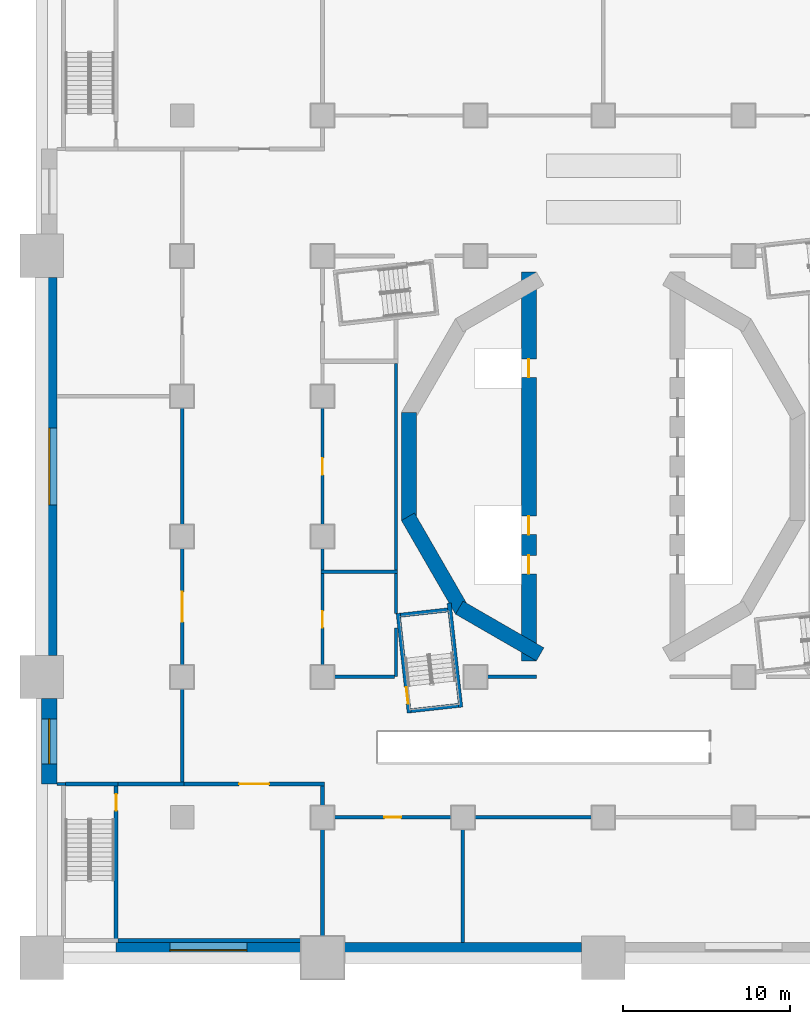
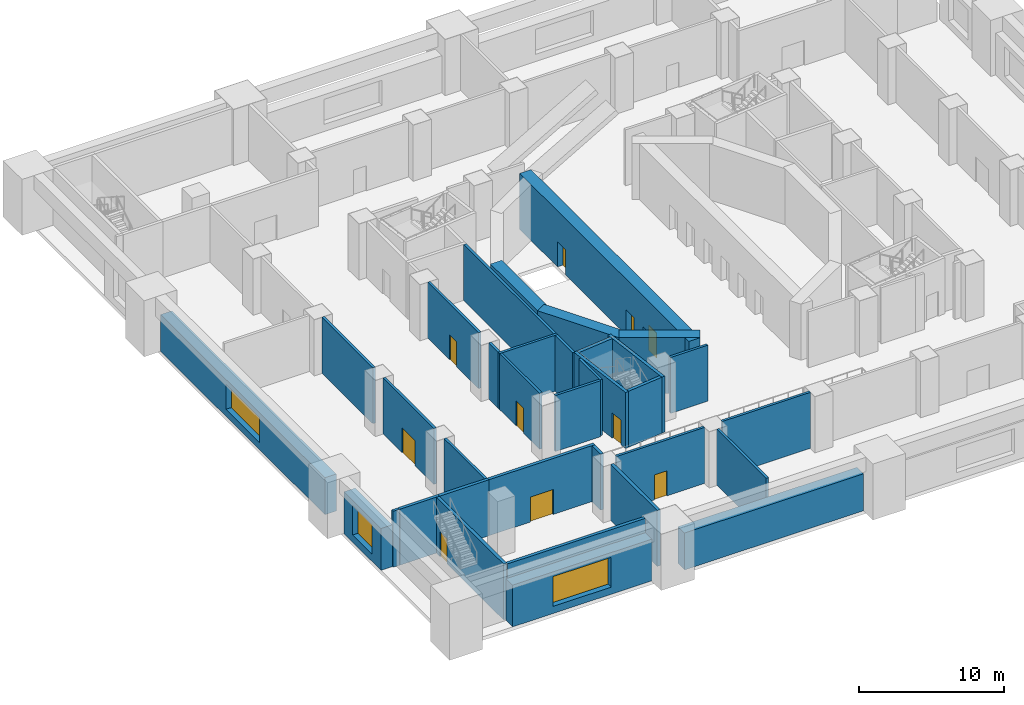
# One storey, part 2 of 19: 35 walls, 10 doors, 3 windows, 13 openings.
"""IFC4 building model written with IfcOpenShell, lengths in metres."""

from ifc_helpers import new_model, si_unit, direction, frame, frame_2d, origin, place, context, subcontext, project, spatial, rectangle, extrude, material, layer, layer_set, type_object, element, fill, save


model = new_model("IFC4")

# Units and contexts
model_context = context("Model", 3, precision=1e-05, world=origin(), true_north=direction((0.0, 1.0)))
body_context = subcontext(model_context, "Body", "Model", "MODEL_VIEW")
ifc_project = project(units=[si_unit("LENGTHUNIT", "METRE"), si_unit("AREAUNIT", "SQUARE_METRE"), si_unit("VOLUMEUNIT", "CUBIC_METRE"), si_unit("PLANEANGLEUNIT", "RADIAN"), si_unit("MASSUNIT", "GRAM", prefix="KILO")], contexts=[model_context])

# Site, building, storey
site_placement = place(None, origin())
site = spatial("IfcSite", under=ifc_project, at=site_placement, CompositionType="ELEMENT")
building_placement = place(site_placement, origin())
building = spatial("IfcBuilding", under=site, at=building_placement, Name="Cantera Rosa Tower", CompositionType="ELEMENT")
storey_placement = place(building_placement, frame((0.0, 0.0, 12.0)))
storey = spatial("IfcBuildingStorey", under=building, at=storey_placement, Name="L01", CompositionType="ELEMENT", Elevation=12.0)

# Walls
ifc_material_1 = material(Name="Masonry blockwork", Category="masonry")
ifc_layer_1 = layer(ifc_material_1, 0.199951171875)
ifc_layer_set_1 = layer_set([ifc_layer_1], Name="Blockwork partition 200")
wall_type_1 = type_object("IfcWallType", Name="Blockwork partition 200", PredefinedType="PARTITIONING", material=ifc_layer_set_1)
wall_1_placement = place(storey_placement, frame((-16.10009765625, -12.57666015625, 0.0), z_axis=(0.0, 0.0, 1.0), x_axis=(1.0, 0.0, 0.0)))
element("IfcWall", 1, at=wall_1_placement, inside=storey, type_object=wall_type_1, Name="Partition L01-1", PredefinedType="PARTITIONING", context=body_context, shape_type="SweptSolid", body=[
    extrude(rectangle(XDim=3.60009765625, YDim=0.199951171875, at=frame_2d((1.800048828125, 0.0))), origin(), (0.0, 0.0, 1.0), 4.699951171875),
])
wall_2_placement = place(storey_placement, frame((-6.949951171875, -12.57666015625, 0.0), z_axis=(0.0, 0.0, 1.0), x_axis=(1.0, 0.0, 0.0)))
element("IfcWall", 2, at=wall_2_placement, inside=storey, type_object=wall_type_1, Name="Partition L01-2", PredefinedType="PARTITIONING", context=body_context, shape_type="SweptSolid", body=[
    extrude(rectangle(XDim=2.949951171875, YDim=0.199951171875, at=frame_2d((1.47509765625, 0.0))), origin(), (0.0, 0.0, 1.0), 4.699951171875),
])
wall_3_placement = place(storey_placement, frame((-12.39990234375, -12.57666015625, 0.0), z_axis=(0.0, 0.0, 1.0), x_axis=(0.0, 1.0, 0.0)))
element("IfcWall", 3, at=wall_3_placement, inside=storey, type_object=wall_type_1, Name="Partition L01-7", PredefinedType="PARTITIONING", context=body_context, shape_type="SweptSolid", body=[
    extrude(rectangle(XDim=2.921142578125, YDim=0.199951171875, at=frame_2d((1.46044921875, 0.0))), origin(), (0.0, 0.0, 1.0), 4.699951171875),
])
wall_4_placement = place(storey_placement, frame((-12.39990234375, -8.802490234375, 0.0), z_axis=(0.0, 0.0, 1.0), x_axis=(0.0, 1.0, 0.0)))
element("IfcWall", 4, at=wall_4_placement, inside=storey, type_object=wall_type_1, Name="Partition L01-8", PredefinedType="PARTITIONING", context=body_context, shape_type="SweptSolid", body=[
    extrude(rectangle(XDim=2.402587890625, YDim=0.199951171875, at=frame_2d((1.201171875, 0.0))), origin(), (0.0, 0.0, 1.0), 4.699951171875),
])
wall_5_placement = place(storey_placement, frame((-12.39990234375, -6.199951171875, 0.0), z_axis=(0.0, 0.0, 1.0), x_axis=(0.0, 1.0, 0.0)))
element("IfcWall", 5, at=wall_5_placement, inside=storey, type_object=wall_type_1, Name="Partition L01-9", PredefinedType="PARTITIONING", context=body_context, shape_type="SweptSolid", body=[
    extrude(rectangle(XDim=12.375, YDim=0.199951171875, at=frame_2d((6.1875, 0.0))), origin(), (0.0, 0.0, 1.0), 4.699951171875),
])

# Wall, opening, door
wall_6_placement = place(storey_placement, frame((-16.800048828125, -11.89990234375, 0.0), z_axis=(0.0, 0.0, 1.0), x_axis=(0.0, 1.0, 0.0)))
wall_6 = element("IfcWall", 6, at=wall_6_placement, inside=storey, type_object=wall_type_1, Name="Partition L01-36", PredefinedType="PARTITIONING", context=body_context, shape_type="SweptSolid", body=[
    extrude(rectangle(XDim=5.5, YDim=0.199951171875, at=frame_2d((2.75, 0.0))), origin(), (0.0, 0.0, 1.0), 4.699951171875),
])
opening_1_placement = place(wall_6_placement, frame((2.25, 0.0, 0.0)))
opening_1 = element("IfcOpeningElement", 7, at=opening_1_placement, cuts=wall_6, Name="Opening L01-012", PredefinedType="OPENING", context=body_context, shape_type="SweptSolid", body=[
    extrude(rectangle(XDim=1.0, YDim=2.10009765625, at=frame_2d((0.5, 1.050048828125))), frame((0.0, 0.10986328125, 0.0), z_axis=(0.0, -1.0, 0.0), x_axis=(1.0, 0.0, 0.0)), (0.0, 0.0, 1.0), 0.219970703125),
])
ifc_material_2 = material(Name="Timber", Category="wood")
door_type_1 = type_object("IfcDoorType", Name="Door 1000x2100", OperationType="NOTDEFINED", PredefinedType="DOOR", material=ifc_material_2)
door_1_placement = place(opening_1_placement, origin())
door_1 = element("IfcDoor", 8, at=door_1_placement, inside=storey, type_object=door_type_1, Name="Door L01-012", OverallHeight=2.10009765625, OverallWidth=1.0, PredefinedType="DOOR", context=body_context, shape_type="SweptSolid", body=[
    extrude(rectangle(XDim=1.0, YDim=2.10009765625, at=frame_2d((0.5, 1.050048828125))), frame((0.0, 0.02490234375, 0.0), z_axis=(0.0, -1.0, 0.0), x_axis=(1.0, 0.0, 0.0)), (0.0, 0.0, 1.0), 0.050048828125),
])
fill(opening_1, door_1)

# Wall
wall_7_placement = place(storey_placement, frame((-16.800048828125, -6.199951171875, 0.0), z_axis=(0.0, 0.0, 1.0), x_axis=(0.0, 1.0, 0.0)))
element("IfcWall", 9, at=wall_7_placement, inside=storey, type_object=wall_type_1, Name="Partition L01-37", PredefinedType="PARTITIONING", context=body_context, shape_type="SweptSolid", body=[
    extrude(rectangle(XDim=1.300048828125, YDim=0.199951171875, at=frame_2d((0.64990234375, 0.0))), origin(), (0.0, 0.0, 1.0), 4.699951171875),
])

# Wall, opening, door
wall_8_placement = place(storey_placement, frame((-16.800048828125, -3.5, 0.0), z_axis=(0.0, 0.0, 1.0), x_axis=(0.0, 1.0, 0.0)))
wall_8 = element("IfcWall", 10, at=wall_8_placement, inside=storey, type_object=wall_type_1, Name="Partition L01-38", PredefinedType="PARTITIONING", context=body_context, shape_type="SweptSolid", body=[
    extrude(rectangle(XDim=7.0, YDim=0.199951171875, at=frame_2d((3.5, 0.0))), origin(), (0.0, 0.0, 1.0), 4.699951171875),
])
opening_2_placement = place(wall_8_placement, frame((3.0, 0.0, 0.0)))
opening_2 = element("IfcOpeningElement", 11, at=opening_2_placement, cuts=wall_8, Name="Opening L01-013", PredefinedType="OPENING", context=body_context, shape_type="SweptSolid", body=[
    extrude(rectangle(XDim=1.0, YDim=2.10009765625, at=frame_2d((0.5, 1.050048828125))), frame((0.0, 0.10986328125, 0.0), z_axis=(0.0, -1.0, 0.0), x_axis=(1.0, 0.0, 0.0)), (0.0, 0.0, 1.0), 0.219970703125),
])
door_2_placement = place(opening_2_placement, origin())
door_2 = element("IfcDoor", 12, at=door_2_placement, inside=storey, type_object=door_type_1, Name="Door L01-013", OverallHeight=2.10009765625, OverallWidth=1.0, PredefinedType="DOOR", context=body_context, shape_type="SweptSolid", body=[
    extrude(rectangle(XDim=1.0, YDim=2.10009765625, at=frame_2d((0.5, 1.050048828125))), frame((0.0, 0.02490234375, 0.0), z_axis=(0.0, -1.0, 0.0), x_axis=(1.0, 0.0, 0.0)), (0.0, 0.0, 1.0), 0.050048828125),
])
fill(opening_2, door_2)

# Walls
wall_9_placement = place(storey_placement, frame((-16.89990234375, -6.300048828125, 0.0), z_axis=(0.0, 0.0, 1.0), x_axis=(1.0, 0.0, 0.0)))
element("IfcWall", 13, at=wall_9_placement, inside=storey, type_object=wall_type_1, Name="Partition L01-43", PredefinedType="PARTITIONING", context=body_context, shape_type="SweptSolid", body=[
    extrude(rectangle(XDim=4.599853515625, YDim=0.199951171875, at=frame_2d((2.2998046875, 0.0))), origin(), (0.0, 0.0, 1.0), 4.699951171875),
])
wall_10_placement = place(storey_placement, frame((-32.699951171875, -19.0, 0.0), z_axis=(0.0, 0.0, 1.0), x_axis=(1.0, 0.0, 0.0)))
element("IfcWall", 14, at=wall_10_placement, inside=storey, type_object=wall_type_1, Name="Partition L01-64", PredefinedType="PARTITIONING", context=body_context, shape_type="SweptSolid", body=[
    extrude(rectangle(XDim=0.52490234375, YDim=0.199951171875, at=frame_2d((0.262451171875, 0.0))), origin(), (0.0, 0.0, 1.0), 4.699951171875),
])
wall_11_placement = place(storey_placement, frame((-8.39990234375, -28.5, 0.0), z_axis=(0.0, 0.0, 1.0), x_axis=(0.0, 1.0, 0.0)))
element("IfcWall", 15, at=wall_11_placement, inside=storey, type_object=wall_type_1, Name="Partition L01-80", PredefinedType="PARTITIONING", context=body_context, shape_type="SweptSolid", body=[
    extrude(rectangle(XDim=6.800048828125, YDim=0.199951171875, at=frame_2d((3.39990234375, 0.0))), origin(), (0.0, 0.0, 1.0), 4.699951171875),
])

# Wall, opening, door
wall_12_placement = place(storey_placement, frame((-16.10009765625, -21.0, 0.0), z_axis=(0.0, 0.0, 1.0), x_axis=(1.0, 0.0, 0.0)))
wall_12 = element("IfcWall", 16, at=wall_12_placement, inside=storey, type_object=wall_type_1, Name="Partition L01-81", PredefinedType="PARTITIONING", context=body_context, shape_type="SweptSolid", body=[
    extrude(rectangle(XDim=7.0, YDim=0.199951171875, at=frame_2d((3.5, 0.0))), origin(), (0.0, 0.0, 1.0), 4.699951171875),
])
opening_3_placement = place(wall_12_placement, frame((3.0, 0.0, 0.0)))
opening_3 = element("IfcOpeningElement", 17, at=opening_3_placement, cuts=wall_12, Name="Opening L01-003", PredefinedType="OPENING", context=body_context, shape_type="SweptSolid", body=[
    extrude(rectangle(XDim=1.0, YDim=2.10009765625, at=frame_2d((0.5, 1.050048828125))), frame((0.0, 0.10986328125, 0.0), z_axis=(0.0, -1.0, 0.0), x_axis=(1.0, 0.0, 0.0)), (0.0, 0.0, 1.0), 0.219970703125),
])
door_3_placement = place(opening_3_placement, origin())
door_3 = element("IfcDoor", 18, at=door_3_placement, inside=storey, type_object=door_type_1, Name="Door L01-003", OverallHeight=2.10009765625, OverallWidth=1.0, PredefinedType="DOOR", context=body_context, shape_type="SweptSolid", body=[
    extrude(rectangle(XDim=1.0, YDim=2.10009765625, at=frame_2d((0.5, 1.050048828125))), frame((0.0, 0.02490234375, 0.0), z_axis=(0.0, -1.0, 0.0), x_axis=(1.0, 0.0, 0.0)), (0.0, 0.0, 1.0), 0.050048828125),
])
fill(opening_3, door_3)

# Walls
wall_13_placement = place(storey_placement, frame((-7.699951171875, -21.0, 0.0), z_axis=(0.0, 0.0, 1.0), x_axis=(1.0, 0.0, 0.0)))
element("IfcWall", 19, at=wall_13_placement, inside=storey, type_object=wall_type_1, Name="Partition L01-82", PredefinedType="PARTITIONING", context=body_context, shape_type="SweptSolid", body=[
    extrude(rectangle(XDim=7.0, YDim=0.199951171875, at=frame_2d((3.5, 0.0))), origin(), (0.0, 0.0, 1.0), 4.699951171875),
])
wall_14_placement = place(storey_placement, frame((-25.199951171875, -18.875, 0.0), z_axis=(0.0, 0.0, 1.0), x_axis=(0.0, 1.0, 0.0)))
element("IfcWall", 20, at=wall_14_placement, inside=storey, type_object=wall_type_1, Name="Partition L01-91", PredefinedType="PARTITIONING", context=body_context, shape_type="SweptSolid", body=[
    extrude(rectangle(XDim=5.574951171875, YDim=0.199951171875, at=frame_2d((2.78759765625, 0.0))), origin(), (0.0, 0.0, 1.0), 4.699951171875),
])

# Wall, opening, door
wall_15_placement = place(storey_placement, frame((-25.199951171875, -11.89990234375, 0.0), z_axis=(0.0, 0.0, 1.0), x_axis=(0.0, 1.0, 0.0)))
wall_15 = element("IfcWall", 21, at=wall_15_placement, inside=storey, type_object=wall_type_1, Name="Partition L01-92", PredefinedType="PARTITIONING", context=body_context, shape_type="SweptSolid", body=[
    extrude(rectangle(XDim=7.0, YDim=0.199951171875, at=frame_2d((3.5, 0.0))), origin(), (0.0, 0.0, 1.0), 4.699951171875),
])
opening_4_placement = place(wall_15_placement, frame((2.60009765625, 0.0, 0.0)))
opening_4 = element("IfcOpeningElement", 22, at=opening_4_placement, cuts=wall_15, Name="Opening L01-007", PredefinedType="OPENING", context=body_context, shape_type="SweptSolid", body=[
    extrude(rectangle(XDim=1.800048828125, YDim=2.10009765625, at=frame_2d((0.89990234375, 1.050048828125))), frame((0.0, 0.10986328125, 0.0), z_axis=(0.0, -1.0, 0.0), x_axis=(1.0, 0.0, 0.0)), (0.0, 0.0, 1.0), 0.219970703125),
])
ifc_material_3 = material(Name="Timber", Category="wood")
door_type_2 = type_object("IfcDoorType", Name="Double door 1800x2100", OperationType="NOTDEFINED", PredefinedType="DOOR", material=ifc_material_3)
door_4_placement = place(opening_4_placement, origin())
door_4 = element("IfcDoor", 23, at=door_4_placement, inside=storey, type_object=door_type_2, Name="Door L01-007", OperationType="DOUBLE_DOOR_SINGLE_SWING", OverallHeight=2.10009765625, OverallWidth=1.800048828125, PredefinedType="DOOR", context=body_context, shape_type="SweptSolid", body=[
    extrude(rectangle(XDim=1.800048828125, YDim=2.10009765625, at=frame_2d((0.89990234375, 1.050048828125))), frame((0.0, 0.02490234375, 0.0), z_axis=(0.0, -1.0, 0.0), x_axis=(1.0, 0.0, 0.0)), (0.0, 0.0, 1.0), 0.050048828125),
])
fill(opening_4, door_4)

# Walls
wall_16_placement = place(storey_placement, frame((-25.199951171875, -3.5, 0.0), z_axis=(0.0, 0.0, 1.0), x_axis=(0.0, 1.0, 0.0)))
element("IfcWall", 24, at=wall_16_placement, inside=storey, type_object=wall_type_1, Name="Partition L01-93", PredefinedType="PARTITIONING", context=body_context, shape_type="SweptSolid", body=[
    extrude(rectangle(XDim=7.0, YDim=0.199951171875, at=frame_2d((3.5, 0.0))), origin(), (0.0, 0.0, 1.0), 4.699951171875),
])
ifc_material_4 = material(Name="Concrete C70/85", Category="concrete")
ifc_layer_2 = layer(ifc_material_4, 0.89990234375)
ifc_layer_set_2 = layer_set([ifc_layer_2], Name="Drum wall 900")
wall_type_2 = type_object("IfcWallType", Name="Drum wall 900", PredefinedType="SHEAR", material=ifc_layer_set_2)
wall_17_placement = place(storey_placement, frame((-3.77490234375, -11.242919921875, 0.0), z_axis=(0.0, 0.0, 1.0), x_axis=(-0.866026961591, 0.49999730179, 0.0)))
element("IfcWall", 25, at=wall_17_placement, inside=storey, type_object=wall_type_2, Name="Drum wall west 1 L01", PredefinedType="SHEAR", context=body_context, shape_type="SweptSolid", body=[
    extrude(rectangle(XDim=5.58740234375, YDim=0.89990234375, at=frame_2d((2.793701171875, 0.0))), origin(), (0.0, 0.0, 1.0), 4.699951171875),
])
wall_18_placement = place(storey_placement, frame((-8.44921875, -8.61376953125, 0.0), z_axis=(0.0, 0.0, 1.0), x_axis=(-0.499990282633, 0.866031014036, 0.0)))
element("IfcWall", 26, at=wall_18_placement, inside=storey, type_object=wall_type_2, Name="Drum wall west 2 L01", PredefinedType="SHEAR", context=body_context, shape_type="SweptSolid", body=[
    extrude(rectangle(XDim=6.470458984375, YDim=0.89990234375, at=frame_2d((3.2353515625, 0.0))), origin(), (0.0, 0.0, 1.0), 4.699951171875),
])
wall_19_placement = place(storey_placement, frame((-11.6240234375, -3.2353515625, 0.0), z_axis=(0.0, 0.0, 1.0), x_axis=(0.0, 1.0, 0.0)))
element("IfcWall", 27, at=wall_19_placement, inside=storey, type_object=wall_type_2, Name="Drum wall west 3 L01", PredefinedType="SHEAR", context=body_context, shape_type="SweptSolid", body=[
    extrude(rectangle(XDim=6.470703125, YDim=0.89990234375, at=frame_2d((3.2353515625, 0.0))), origin(), (0.0, 0.0, 1.0), 4.699951171875),
])

# Wall, openings, doors
wall_20_placement = place(storey_placement, frame((-4.449951171875, 11.632568359375, 0.0), z_axis=(0.0, 0.0, 1.0), x_axis=(0.0, -1.0, 0.0)))
wall_20 = element("IfcWall", 28, at=wall_20_placement, inside=storey, type_object=wall_type_2, Name="Drum wall west 6 L01", PredefinedType="SHEAR", context=body_context, shape_type="SweptSolid", body=[
    extrude(rectangle(XDim=23.26513671875, YDim=0.89990234375, at=frame_2d((11.632568359375, 0.0))), origin(), (0.0, 0.0, 1.0), 4.699951171875),
])
opening_5_placement = place(wall_20_placement, frame((14.607421875, 0.0, 0.0)))
opening_5 = element("IfcOpeningElement", 29, at=opening_5_placement, cuts=wall_20, Name="Opening LD-P3-L01", PredefinedType="OPENING", context=body_context, shape_type="SweptSolid", body=[
    extrude(rectangle(XDim=1.10009765625, YDim=2.10009765625, at=frame_2d((0.550048828125, 1.050048828125))), frame((0.0, 0.4599609375, 0.0), z_axis=(0.0, -1.0, 0.0), x_axis=(1.0, 0.0, 0.0)), (0.0, 0.0, 1.0), 0.919921875),
])
opening_6_placement = place(wall_20_placement, frame((16.95751953125, 0.0, 0.0)))
opening_6 = element("IfcOpeningElement", 30, at=opening_6_placement, cuts=wall_20, Name="Opening LD-P4-L01", PredefinedType="OPENING", context=body_context, shape_type="SweptSolid", body=[
    extrude(rectangle(XDim=1.10009765625, YDim=2.10009765625, at=frame_2d((0.550048828125, 1.050048828125))), frame((0.0, 0.4599609375, 0.0), z_axis=(0.0, -1.0, 0.0), x_axis=(1.0, 0.0, 0.0)), (0.0, 0.0, 1.0), 0.919921875),
])
opening_7_placement = place(wall_20_placement, frame((5.20751953125, 0.0, 0.0)))
opening_7 = element("IfcOpeningElement", 31, at=opening_7_placement, cuts=wall_20, Name="Opening LD-P5-L01", PredefinedType="OPENING", context=body_context, shape_type="SweptSolid", body=[
    extrude(rectangle(XDim=1.10009765625, YDim=2.10009765625, at=frame_2d((0.550048828125, 1.050048828125))), frame((0.0, 0.4599609375, 0.0), z_axis=(0.0, -1.0, 0.0), x_axis=(1.0, 0.0, 0.0)), (0.0, 0.0, 1.0), 0.919921875),
])
ifc_material_5 = material(Name="Steel S355J2 (EN 10025-2)", Category="steel")
door_type_3 = type_object("IfcDoorType", Name="LANDING DOOR 1100x2100", OperationType="NOTDEFINED", PredefinedType="DOOR", material=ifc_material_5)
door_5_placement = place(opening_5_placement, origin())
door_5 = element("IfcDoor", 32, at=door_5_placement, inside=storey, type_object=door_type_3, Name="LANDING DOOR P3 L01", OperationType="SLIDING_TO_LEFT", OverallHeight=2.10009765625, OverallWidth=1.10009765625, PredefinedType="DOOR", context=body_context, shape_type="SweptSolid", body=[
    extrude(rectangle(XDim=1.10009765625, YDim=2.10009765625, at=frame_2d((0.550048828125, 1.050048828125))), frame((0.0, 0.02490234375, 0.0), z_axis=(0.0, -1.0, 0.0), x_axis=(1.0, 0.0, 0.0)), (0.0, 0.0, 1.0), 0.050048828125),
])
fill(opening_5, door_5)
door_6_placement = place(opening_6_placement, origin())
door_6 = element("IfcDoor", 33, at=door_6_placement, inside=storey, type_object=door_type_3, Name="LANDING DOOR P4 L01", OperationType="SLIDING_TO_LEFT", OverallHeight=2.10009765625, OverallWidth=1.10009765625, PredefinedType="DOOR", context=body_context, shape_type="SweptSolid", body=[
    extrude(rectangle(XDim=1.10009765625, YDim=2.10009765625, at=frame_2d((0.550048828125, 1.050048828125))), frame((0.0, 0.02490234375, 0.0), z_axis=(0.0, -1.0, 0.0), x_axis=(1.0, 0.0, 0.0)), (0.0, 0.0, 1.0), 0.050048828125),
])
fill(opening_6, door_6)
door_7_placement = place(opening_7_placement, origin())
door_7 = element("IfcDoor", 34, at=door_7_placement, inside=storey, type_object=door_type_3, Name="LANDING DOOR P5 L01", OperationType="SLIDING_TO_LEFT", OverallHeight=2.10009765625, OverallWidth=1.10009765625, PredefinedType="DOOR", context=body_context, shape_type="SweptSolid", body=[
    extrude(rectangle(XDim=1.10009765625, YDim=2.10009765625, at=frame_2d((0.550048828125, 1.050048828125))), frame((0.0, 0.02490234375, 0.0), z_axis=(0.0, -1.0, 0.0), x_axis=(1.0, 0.0, 0.0)), (0.0, 0.0, 1.0), 0.050048828125),
])
fill(opening_7, door_7)

# Walls
ifc_material_6 = material(Name="Masonry blockwork", Category="masonry")
ifc_layer_3 = layer(ifc_material_6, 0.25)
ifc_layer_set_3 = layer_set([ifc_layer_3], Name="Fire-rated external wall 250")
wall_type_3 = type_object("IfcWallType", Name="Fire-rated external wall 250", PredefinedType="PARTITIONING", material=ifc_layer_set_3)
wall_21_placement = place(storey_placement, frame((-29.02490234375, -28.375, 0.0), z_axis=(0.0, 0.0, 1.0), x_axis=(1.0, 0.0, 0.0)))
element("IfcWall", 35, at=wall_21_placement, inside=storey, type_object=wall_type_3, Name="Fire wall L01-72", PredefinedType="PARTITIONING", context=body_context, shape_type="SweptSolid", body=[
    extrude(rectangle(XDim=10.9248046875, YDim=0.25, at=frame_2d((5.46240234375, 0.0))), origin(), (0.0, 0.0, 1.0), 4.699951171875),
])
ifc_material_7 = material(Name="Masonry blockwork", Category="masonry")
ifc_layer_4 = layer(ifc_material_7, 0.25)
ifc_layer_set_4 = layer_set([ifc_layer_4], Name="Fire-rated wall 250")
wall_type_4 = type_object("IfcWallType", Name="Fire-rated wall 250", PredefinedType="PARTITIONING", material=ifc_layer_set_4)
wall_22_placement = place(storey_placement, frame((-16.800048828125, -28.10009765625, 0.0), z_axis=(0.0, 0.0, 1.0), x_axis=(0.0, 1.0, 0.0)))
element("IfcWall", 36, at=wall_22_placement, inside=storey, type_object=wall_type_4, Name="Fire wall L01-34", PredefinedType="PARTITIONING", context=body_context, shape_type="SweptSolid", body=[
    extrude(rectangle(XDim=6.400146484375, YDim=0.25, at=frame_2d((3.2001953125, 0.0))), origin(), (0.0, 0.0, 1.0), 4.699951171875),
])
wall_23_placement = place(storey_placement, frame((-16.800048828125, -20.300048828125, 0.0), z_axis=(0.0, 0.0, 1.0), x_axis=(0.0, 1.0, 0.0)))
element("IfcWall", 37, at=wall_23_placement, inside=storey, type_object=wall_type_4, Name="Fire wall L01-35", PredefinedType="PARTITIONING", context=body_context, shape_type="SweptSolid", body=[
    extrude(rectangle(XDim=1.175048828125, YDim=0.25, at=frame_2d((0.58740234375, 0.0))), origin(), (0.0, 0.0, 1.0), 4.699951171875),
])
wall_24_placement = place(storey_placement, frame((-29.02490234375, -19.0, 0.0), z_axis=(0.0, 0.0, 1.0), x_axis=(1.0, 0.0, 0.0)))
element("IfcWall", 38, at=wall_24_placement, inside=storey, type_object=wall_type_4, Name="Fire wall L01-66", PredefinedType="PARTITIONING", context=body_context, shape_type="SweptSolid", body=[
    extrude(rectangle(XDim=3.9248046875, YDim=0.25, at=frame_2d((1.96240234375, 0.0))), origin(), (0.0, 0.0, 1.0), 4.699951171875),
])

# Wall, opening, door
wall_25_placement = place(storey_placement, frame((-25.10009765625, -19.0, 0.0), z_axis=(0.0, 0.0, 1.0), x_axis=(1.0, 0.0, 0.0)))
wall_25 = element("IfcWall", 39, at=wall_25_placement, inside=storey, type_object=wall_type_4, Name="Fire wall L01-67", PredefinedType="PARTITIONING", context=body_context, shape_type="SweptSolid", body=[
    extrude(rectangle(XDim=8.425048828125, YDim=0.25, at=frame_2d((4.21240234375, 0.0))), origin(), (0.0, 0.0, 1.0), 4.699951171875),
])
opening_8_placement = place(wall_25_placement, frame((3.3125, 0.0, 0.0)))
opening_8 = element("IfcOpeningElement", 40, at=opening_8_placement, cuts=wall_25, Name="Opening L01-021", PredefinedType="OPENING", context=body_context, shape_type="SweptSolid", body=[
    extrude(rectangle(XDim=1.800048828125, YDim=2.10009765625, at=frame_2d((0.89990234375, 1.050048828125))), frame((0.0, 0.135009765625, 0.0), z_axis=(0.0, -1.0, 0.0), x_axis=(1.0, 0.0, 0.0)), (0.0, 0.0, 1.0), 0.27001953125),
])
ifc_material_8 = material(Name="Steel S355J2 (EN 10025-2)", Category="steel")
door_type_4 = type_object("IfcDoorType", Name="Fire double door 1800x2100", OperationType="NOTDEFINED", PredefinedType="DOOR", material=ifc_material_8)
door_8_placement = place(opening_8_placement, origin())
door_8 = element("IfcDoor", 41, at=door_8_placement, inside=storey, type_object=door_type_4, Name="Door L01-021", OperationType="DOUBLE_DOOR_SINGLE_SWING", OverallHeight=2.10009765625, OverallWidth=1.800048828125, PredefinedType="DOOR", context=body_context, shape_type="SweptSolid", body=[
    extrude(rectangle(XDim=1.800048828125, YDim=2.10009765625, at=frame_2d((0.89990234375, 1.050048828125))), frame((0.0, 0.02490234375, 0.0), z_axis=(0.0, -1.0, 0.0), x_axis=(1.0, 0.0, 0.0)), (0.0, 0.0, 1.0), 0.050048828125),
])
fill(opening_8, door_8)

ifc_material_9 = material(Name="Concrete C50/60", Category="concrete")
ifc_layer_5 = layer(ifc_material_9, 0.25)
ifc_layer_set_5 = layer_set([ifc_layer_5], Name="RC stair wall 250 C50/60")
wall_type_5 = type_object("IfcWallType", Name="RC stair wall 250", PredefinedType="SOLIDWALL", material=ifc_layer_set_5)
wall_26_placement = place(storey_placement, frame((-29.14990234375, -28.375, 0.0), z_axis=(0.0, 0.0, 1.0), x_axis=(0.0, 1.0, 0.0)))
wall_26 = element("IfcWall", 42, at=wall_26_placement, inside=storey, type_object=wall_type_5, Name="Stair wall L01-60", PredefinedType="SOLIDWALL", context=body_context, shape_type="SweptSolid", body=[
    extrude(rectangle(XDim=9.25, YDim=0.25, at=frame_2d((4.625, 0.0))), origin(), (0.0, 0.0, 1.0), 4.699951171875),
])
opening_9_placement = place(wall_26_placement, frame((7.77490234375, 0.0, 0.0)))
opening_9 = element("IfcOpeningElement", 43, at=opening_9_placement, cuts=wall_26, Name="Opening L01-022", PredefinedType="OPENING", context=body_context, shape_type="SweptSolid", body=[
    extrude(rectangle(XDim=1.0, YDim=2.10009765625, at=frame_2d((0.5, 1.050048828125))), frame((0.0, 0.135009765625, 0.0), z_axis=(0.0, -1.0, 0.0), x_axis=(1.0, 0.0, 0.0)), (0.0, 0.0, 1.0), 0.27001953125),
])
ifc_material_10 = material(Name="Steel S355J2 (EN 10025-2)", Category="steel")
door_type_5 = type_object("IfcDoorType", Name="Fire door 1000x2100 EI 120", OperationType="NOTDEFINED", PredefinedType="DOOR", material=ifc_material_10)
door_9_placement = place(opening_9_placement, origin())
door_9 = element("IfcDoor", 44, at=door_9_placement, inside=storey, type_object=door_type_5, Name="Door L01-022", OverallHeight=2.10009765625, OverallWidth=1.0, PredefinedType="DOOR", context=body_context, shape_type="SweptSolid", body=[
    extrude(rectangle(XDim=1.0, YDim=2.10009765625, at=frame_2d((0.5, 1.050048828125))), frame((0.0, 0.02490234375, 0.0), z_axis=(0.0, -1.0, 0.0), x_axis=(1.0, 0.0, 0.0)), (0.0, 0.0, 1.0), 0.050048828125),
])
fill(opening_9, door_9)

# Walls
wall_27_placement = place(storey_placement, frame((-32.175048828125, -19.0, 0.0), z_axis=(0.0, 0.0, 1.0), x_axis=(1.0, 0.0, 0.0)))
element("IfcWall", 45, at=wall_27_placement, inside=storey, type_object=wall_type_5, Name="Stair wall L01-65", PredefinedType="SOLIDWALL", context=body_context, shape_type="SweptSolid", body=[
    extrude(rectangle(XDim=3.150146484375, YDim=0.25, at=frame_2d((1.5751953125, 0.0))), origin(), (0.0, 0.0, 1.0), 4.699951171875),
])
wall_28_placement = place(storey_placement, frame((-8.66650390625, -14.30029296875, 0.0), z_axis=(0.0, 0.0, 1.0), x_axis=(-0.993904609394, -0.110243491536, 0.0)))
element("IfcWall", 46, at=wall_28_placement, inside=storey, type_object=wall_type_5, Name="Stair wall ST-13 L01-1", PredefinedType="SOLIDWALL", context=body_context, shape_type="SweptSolid", body=[
    extrude(rectangle(XDim=2.85009765625, YDim=0.25, at=frame_2d((1.425048828125, 0.0))), origin(), (0.0, 0.0, 1.0), 4.699951171875),
])

# Wall, opening, door
wall_29_placement = place(storey_placement, frame((-11.609619140625, -14.752685546875, 0.0), z_axis=(0.0, 0.0, 1.0), x_axis=(-0.110310943534, 0.993897125329, 0.0)))
wall_29 = element("IfcWall", 47, at=wall_29_placement, inside=storey, type_object=wall_type_5, Name="Stair wall ST-13 L01-2", PredefinedType="SOLIDWALL", context=body_context, shape_type="SweptSolid", body=[
    extrude(rectangle(XDim=6.0, YDim=0.25, at=frame_2d((3.0, 0.0))), origin(), (0.0, 0.0, 1.0), 4.699951171875),
])
opening_10_placement = place(wall_29_placement, frame((0.550048828125, 0.0, 0.0)))
opening_10 = element("IfcOpeningElement", 48, at=opening_10_placement, cuts=wall_29, Name="Opening L01-ST-13", PredefinedType="OPENING", context=body_context, shape_type="SweptSolid", body=[
    extrude(rectangle(XDim=1.0, YDim=2.10009765625, at=frame_2d((0.5, 1.050048828125))), frame((0.0, 0.135009765625, 0.0), z_axis=(0.0, -1.0, 0.0), x_axis=(1.0, 0.0, 0.0)), (0.0, 0.0, 1.0), 0.27001953125),
])
door_10_placement = place(opening_10_placement, origin())
door_10 = element("IfcDoor", 49, at=door_10_placement, inside=storey, type_object=door_type_5, Name="Door L01-ST-13", OverallHeight=2.10009765625, OverallWidth=1.0, PredefinedType="DOOR", context=body_context, shape_type="SweptSolid", body=[
    extrude(rectangle(XDim=1.0, YDim=2.10009765625, at=frame_2d((0.5, 1.050048828125))), frame((0.0, 0.02490234375, 0.0), z_axis=(0.0, -1.0, 0.0), x_axis=(1.0, 0.0, 0.0)), (0.0, 0.0, 1.0), 0.050048828125),
])
fill(opening_10, door_10)

# Walls
wall_30_placement = place(storey_placement, frame((-12.133544921875, -8.899658203125, 0.0), z_axis=(0.0, 0.0, 1.0), x_axis=(0.993904609394, 0.110243491536, 0.0)))
element("IfcWall", 50, at=wall_30_placement, inside=storey, type_object=wall_type_5, Name="Stair wall ST-13 L01-3", PredefinedType="SOLIDWALL", context=body_context, shape_type="SweptSolid", body=[
    extrude(rectangle(XDim=2.85009765625, YDim=0.25, at=frame_2d((1.425048828125, 0.0))), origin(), (0.0, 0.0, 1.0), 4.699951171875),
])
wall_31_placement = place(storey_placement, frame((-9.22021484375, -8.17822265625, 0.0), z_axis=(0.0, 0.0, 1.0), x_axis=(0.110299055694, -0.993898444668, 0.0)))
element("IfcWall", 51, at=wall_31_placement, inside=storey, type_object=wall_type_5, Name="Stair wall ST-13 L01-4", PredefinedType="SOLIDWALL", context=body_context, shape_type="SweptSolid", body=[
    extrude(rectangle(XDim=6.270751953125, YDim=0.25, at=frame_2d((3.13525390625, 0.0))), origin(), (0.0, 0.0, 1.0), 4.699951171875),
])

# Wall, opening, window
ifc_material_11 = material(Name="Concrete C40/50 with limestone facing", Category="masonry")
ifc_layer_6 = layer(ifc_material_11, 0.89990234375)
ifc_layer_set_6 = layer_set([ifc_layer_6], Name="Stone podium wall 900")
wall_type_6 = type_object("IfcWallType", Name="Stone podium wall 900", PredefinedType="SOLIDWALL", material=ifc_layer_set_6)
wall_32_placement = place(storey_placement, frame((-18.10009765625, -28.949951171875, 0.0), z_axis=(0.0, 0.0, 1.0), x_axis=(-1.0, 0.0, 0.0)))
wall_32 = element("IfcWall", 52, at=wall_32_placement, inside=storey, type_object=wall_type_6, Name="Stone wall S L01-1", PredefinedType="SOLIDWALL", context=body_context, shape_type="SweptSolid", body=[
    extrude(rectangle(XDim=11.0498046875, YDim=0.89990234375, at=frame_2d((5.52490234375, 0.0))), origin(), (0.0, 0.0, 1.0), 3.5),
])
opening_11_placement = place(wall_32_placement, frame((3.22509765625, 0.0, 0.60009765625)))
opening_11 = element("IfcOpeningElement", 53, at=opening_11_placement, cuts=wall_32, Name="Opening L01-PWS1", PredefinedType="OPENING", context=body_context, shape_type="SweptSolid", body=[
    extrude(rectangle(XDim=4.60009765625, YDim=2.5, at=frame_2d((2.300048828125, 1.25))), frame((0.0, 0.4599609375, 0.0), z_axis=(0.0, -1.0, 0.0), x_axis=(1.0, 0.0, 0.0)), (0.0, 0.0, 1.0), 0.919921875),
])
ifc_material_12 = material(Name="Glass", Category="glass")
window_type_1 = type_object("IfcWindowType", Name="Podium window 4600x2500", PartitioningType="SINGLE_PANEL", PredefinedType="WINDOW", material=ifc_material_12)
window_1_placement = place(opening_11_placement, origin())
window_1 = element("IfcWindow", 54, at=window_1_placement, inside=storey, type_object=window_type_1, Name="Podium window L01-S1", OverallHeight=2.5, OverallWidth=4.60009765625, PartitioningType="SINGLE_PANEL", PredefinedType="WINDOW", context=body_context, shape_type="SweptSolid", body=[
    extrude(rectangle(XDim=4.60009765625, YDim=2.5, at=frame_2d((2.300048828125, 1.25))), frame((0.0, 0.030029296875, 0.0), z_axis=(0.0, -1.0, 0.0), x_axis=(1.0, 0.0, 0.0)), (0.0, 0.0, 1.0), 0.06005859375),
])
fill(opening_11, window_1)

wall_33_placement = place(storey_placement, frame((-33.14990234375, -13.89990234375, 0.0), z_axis=(0.0, 0.0, 1.0), x_axis=(0.0, -1.0, 0.0)))
wall_33 = element("IfcWall", 55, at=wall_33_placement, inside=storey, type_object=wall_type_6, Name="Stone wall W L01-1", PredefinedType="SOLIDWALL", context=body_context, shape_type="SweptSolid", body=[
    extrude(rectangle(XDim=5.10009765625, YDim=0.89990234375, at=frame_2d((2.550048828125, 0.0))), origin(), (0.0, 0.0, 1.0), 3.5),
])
opening_12_placement = place(wall_33_placement, frame((1.199951171875, 0.0, 0.60009765625)))
opening_12 = element("IfcOpeningElement", 56, at=opening_12_placement, cuts=wall_33, Name="Opening L01-PWW1", PredefinedType="OPENING", context=body_context, shape_type="SweptSolid", body=[
    extrude(rectangle(XDim=2.699951171875, YDim=2.5, at=frame_2d((1.35009765625, 1.25))), frame((0.0, 0.4599609375, 0.0), z_axis=(0.0, -1.0, 0.0), x_axis=(1.0, 0.0, 0.0)), (0.0, 0.0, 1.0), 0.919921875),
])
ifc_material_13 = material(Name="Glass", Category="glass")
window_type_2 = type_object("IfcWindowType", Name="Podium window 2700x2500", PartitioningType="SINGLE_PANEL", PredefinedType="WINDOW", material=ifc_material_13)
window_2_placement = place(opening_12_placement, origin())
window_2 = element("IfcWindow", 57, at=window_2_placement, inside=storey, type_object=window_type_2, Name="Podium window L01-W1", OverallHeight=2.5, OverallWidth=2.699951171875, PartitioningType="SINGLE_PANEL", PredefinedType="WINDOW", context=body_context, shape_type="SweptSolid", body=[
    extrude(rectangle(XDim=2.699951171875, YDim=2.5, at=frame_2d((1.35009765625, 1.25))), frame((0.0, 0.030029296875, 0.0), z_axis=(0.0, -1.0, 0.0), x_axis=(1.0, 0.0, 0.0)), (0.0, 0.0, 1.0), 0.06005859375),
])
fill(opening_12, window_2)

# Wall
ifc_material_14 = material(Name="Concrete C40/50 with limestone facing", Category="masonry")
ifc_layer_7 = layer(ifc_material_14, 0.89990234375)
ifc_layer_set_7 = layer_set([ifc_layer_7], Name="Stone podium wall 900 under deep girder")
wall_type_7 = type_object("IfcWallType", Name="Stone podium wall 900 under deep girder", PredefinedType="SOLIDWALL", material=ifc_layer_set_7)
wall_34_placement = place(storey_placement, frame((-1.300048828125, -28.949951171875, 0.0), z_axis=(0.0, 0.0, 1.0), x_axis=(-1.0, 0.0, 0.0)))
element("IfcWall", 58, at=wall_34_placement, inside=storey, type_object=wall_type_7, Name="Stone wall S L01-2", PredefinedType="SOLIDWALL", context=body_context, shape_type="SweptSolid", body=[
    extrude(rectangle(XDim=14.199951171875, YDim=0.89990234375, at=frame_2d((7.10009765625, 0.0))), origin(), (0.0, 0.0, 1.0), 3.10009765625),
])

# Wall, opening, window
wall_35_placement = place(storey_placement, frame((-33.14990234375, 11.300048828125, 0.0), z_axis=(0.0, 0.0, 1.0), x_axis=(0.0, -1.0, 0.0)))
wall_35 = element("IfcWall", 59, at=wall_35_placement, inside=storey, type_object=wall_type_7, Name="Stone wall W L01-2", PredefinedType="SOLIDWALL", context=body_context, shape_type="SweptSolid", body=[
    extrude(rectangle(XDim=22.60009765625, YDim=0.89990234375, at=frame_2d((11.300048828125, 0.0))), origin(), (0.0, 0.0, 1.0), 3.10009765625),
])
opening_13_placement = place(wall_35_placement, frame((9.0, 0.0, 0.60009765625)))
opening_13 = element("IfcOpeningElement", 60, at=opening_13_placement, cuts=wall_35, Name="Opening L01-PWW2", PredefinedType="OPENING", context=body_context, shape_type="SweptSolid", body=[
    extrude(rectangle(XDim=4.60009765625, YDim=2.10009765625, at=frame_2d((2.300048828125, 1.050048828125))), frame((0.0, 0.4599609375, 0.0), z_axis=(0.0, -1.0, 0.0), x_axis=(1.0, 0.0, 0.0)), (0.0, 0.0, 1.0), 0.919921875),
])
ifc_material_15 = material(Name="Glass", Category="glass")
window_type_3 = type_object("IfcWindowType", Name="Podium window 4600x2100", PartitioningType="SINGLE_PANEL", PredefinedType="WINDOW", material=ifc_material_15)
window_3_placement = place(opening_13_placement, origin())
window_3 = element("IfcWindow", 61, at=window_3_placement, inside=storey, type_object=window_type_3, Name="Podium window L01-W2", OverallHeight=2.10009765625, OverallWidth=4.60009765625, PartitioningType="SINGLE_PANEL", PredefinedType="WINDOW", context=body_context, shape_type="SweptSolid", body=[
    extrude(rectangle(XDim=4.60009765625, YDim=2.10009765625, at=frame_2d((2.300048828125, 1.050048828125))), frame((0.0, 0.030029296875, 0.0), z_axis=(0.0, -1.0, 0.0), x_axis=(1.0, 0.0, 0.0)), (0.0, 0.0, 1.0), 0.06005859375),
])
fill(opening_13, window_3)

save(model, "model.ifc")
